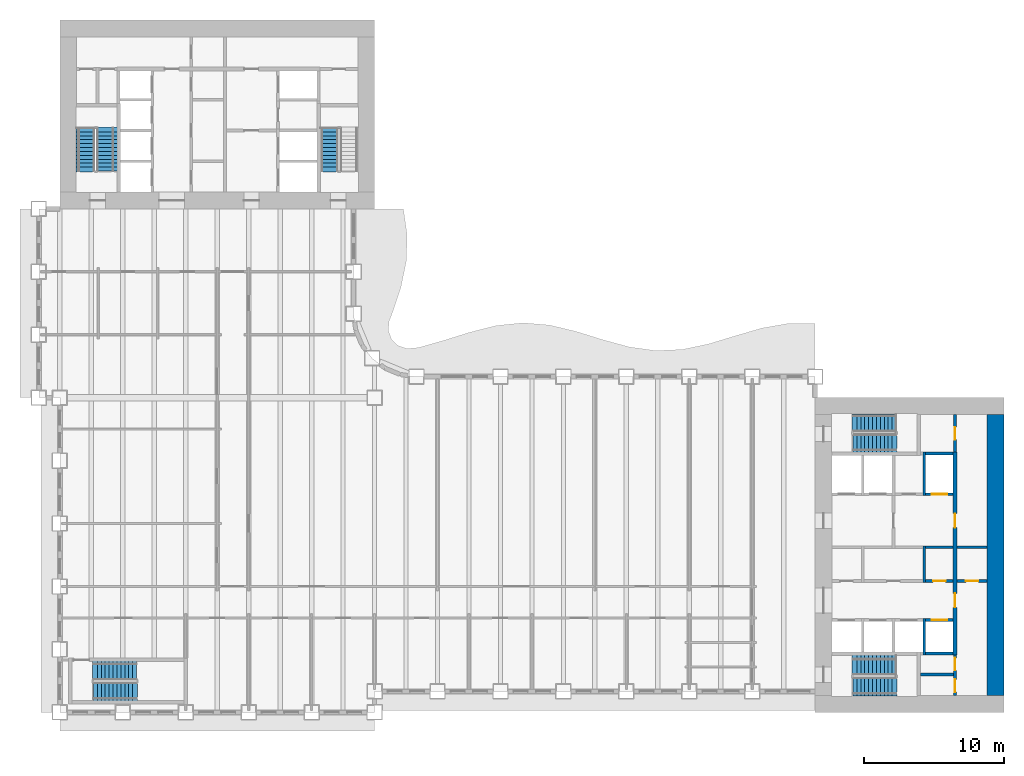
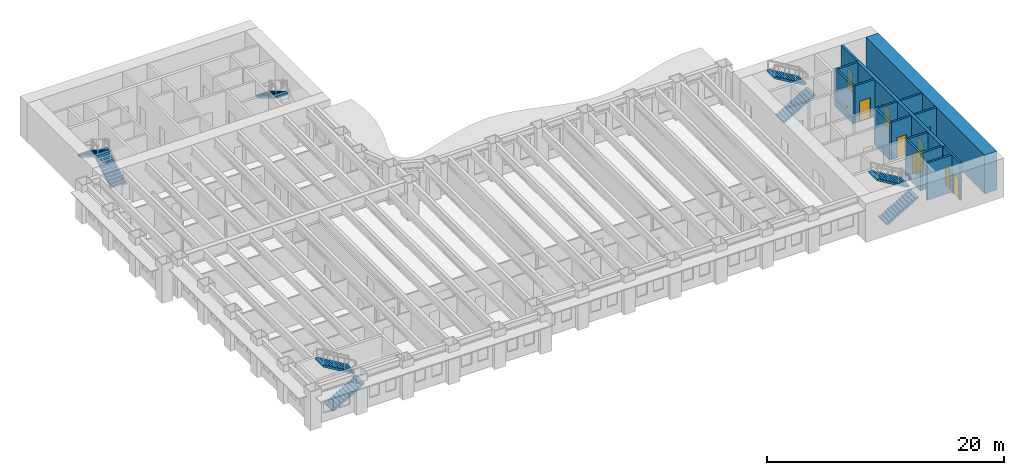
# One storey, part 10 of 17: 16 walls, 9 doors, 9 stair flights, 9 openings, 5 elements without a shape of their own.
"""IFC4 building model written with IfcOpenShell, lengths in metres."""

from ifc_helpers import new_model, si_unit, direction, frame, frame_2d, origin, place, context, subcontext, project, spatial, polyline, rectangle, outline, extrude, material, layer, layer_set, type_object, element, fill, aggregate, save


model = new_model("IFC4")

# Units and contexts
model_context = context("Model", 3, precision=1e-05, world=origin(), true_north=direction((0.0, 1.0)))
body_context = subcontext(model_context, "Body", "Model", "MODEL_VIEW")
ifc_project = project(units=[si_unit("LENGTHUNIT", "METRE"), si_unit("AREAUNIT", "SQUARE_METRE"), si_unit("VOLUMEUNIT", "CUBIC_METRE"), si_unit("PLANEANGLEUNIT", "RADIAN"), si_unit("MASSUNIT", "GRAM", prefix="KILO")], contexts=[model_context])

# Site, building, storey
site_placement = place(None, origin())
site = spatial("IfcSite", under=ifc_project, at=site_placement, CompositionType="ELEMENT")
building_placement = place(site_placement, origin())
building = spatial("IfcBuilding", under=site, at=building_placement, Name="Sennacour Bend Tower", CompositionType="ELEMENT")
storey_placement = place(building_placement, frame((0.0, 0.0, 53.0)))
storey = spatial("IfcBuildingStorey", under=building, at=storey_placement, Name="L11", CompositionType="ELEMENT", Elevation=53.0)

# Walls
ifc_material_1 = material(Name="Concrete C80/95", Category="concrete")
ifc_layer_1 = layer(ifc_material_1, 1.199951171875, Name="Concrete C80/95", Category="concrete")
ifc_layer_set_1 = layer_set([ifc_layer_1], Name="Concrete C80/95")
wall_type_1 = type_object("IfcWallType", Name="Core wall 1200 C80/95", PredefinedType="SHEAR", material=ifc_layer_set_1)
wall_1_placement = place(storey_placement, frame((66.89990234375, 1.199951171875, -0.14990234375), z_axis=(0.0, 0.0, 1.0), x_axis=(0.0, 1.0, 0.0)))
element("IfcWall", 1, at=wall_1_placement, inside=storey, type_object=wall_type_1, Name="Core A wall L11 E", PredefinedType="SHEAR", context=body_context, shape_type="SweptSolid", body=[
    extrude(rectangle(XDim=20.10009765625, YDim=1.199951171875, at=frame_2d((10.050048828125, 0.0))), origin(), (0.0, 0.0, 1.0), 4.0),
])
ifc_material_2 = material(Name="Fire-rated plasterboard partition on steel studs", Category="steel")
ifc_layer_2 = layer(ifc_material_2, 0.199951171875, Name="Fire-rated plasterboard partition on steel studs", Category="steel")
ifc_layer_set_2 = layer_set([ifc_layer_2], Name="Fire-rated plasterboard partition on steel studs")
wall_type_2 = type_object("IfcWallType", Name="Rated partition 200", PredefinedType="PARTITIONING", material=ifc_layer_set_2)
wall_2_placement = place(storey_placement, frame((61.800048828125, 9.300048828125, 0.0), z_axis=(0.0, 0.0, 1.0), x_axis=(0.0, 1.0, 0.0)))
element("IfcWall", 2, at=wall_2_placement, inside=storey, type_object=wall_type_2, Name="P-L11-W045", PredefinedType="PARTITIONING", context=body_context, shape_type="SweptSolid", body=[
    extrude(rectangle(XDim=2.599853515625, YDim=0.199951171875, at=frame_2d((1.2998046875, 0.0))), origin(), (0.0, 0.0, 1.0), 3.85009765625),
])

# Wall, openings, doors
wall_3_placement = place(storey_placement, frame((64.0, 1.199951171875, 0.0), z_axis=(0.0, 0.0, 1.0), x_axis=(0.0, 1.0, 0.0)))
wall_3 = element("IfcWall", 3, at=wall_3_placement, inside=storey, type_object=wall_type_2, Name="P-L11-W047", PredefinedType="PARTITIONING", context=body_context, shape_type="SweptSolid", body=[
    extrude(rectangle(XDim=2.900146484375, YDim=0.199951171875, at=frame_2d((1.4501953125, 0.0))), origin(), (0.0, 0.0, 1.0), 3.85009765625),
])
opening_1_placement = place(wall_3_placement, frame((0.25, 0.0, 0.0)))
opening_1 = element("IfcOpeningElement", 4, at=opening_1_placement, cuts=wall_3, Name="Opening SV", PredefinedType="OPENING", context=body_context, shape_type="SweptSolid", body=[
    extrude(rectangle(XDim=0.89990234375, YDim=2.10009765625, at=frame_2d((0.449951171875, 1.050048828125))), frame((0.0, 0.10986328125, 0.0), z_axis=(0.0, -1.0, 0.0), x_axis=(1.0, 0.0, 0.0)), (0.0, 0.0, 1.0), 0.219970703125),
])
opening_2_placement = place(wall_3_placement, frame((1.800048828125, 0.0, 0.0)))
opening_2 = element("IfcOpeningElement", 5, at=opening_2_placement, cuts=wall_3, Name="Opening SV", PredefinedType="OPENING", context=body_context, shape_type="SweptSolid", body=[
    extrude(rectangle(XDim=0.89990234375, YDim=2.10009765625, at=frame_2d((0.449951171875, 1.050048828125))), frame((0.0, 0.10986328125, 0.0), z_axis=(0.0, -1.0, 0.0), x_axis=(1.0, 0.0, 0.0)), (0.0, 0.0, 1.0), 0.219970703125),
])
ifc_material_3 = material(Name="Painted steel", Category="steel")
door_type_1 = type_object("IfcDoorType", Name="DR-SERVICE-900", OperationType="NOTDEFINED", PredefinedType="DOOR", material=ifc_material_3)
door_1_placement = place(opening_1_placement, origin())
door_1 = element("IfcDoor", 6, at=door_1_placement, inside=storey, type_object=door_type_1, Name="Door", OperationType="SINGLE_SWING_LEFT", OverallHeight=2.10009765625, OverallWidth=0.89990234375, PredefinedType="DOOR", context=body_context, shape_type="SweptSolid", body=[
    extrude(rectangle(XDim=0.89990234375, YDim=2.10009765625, at=frame_2d((0.449951171875, 1.050048828125))), frame((0.0, 0.02490234375, 0.0), z_axis=(0.0, -1.0, 0.0), x_axis=(1.0, 0.0, 0.0)), (0.0, 0.0, 1.0), 0.050048828125),
])
fill(opening_1, door_1)
door_2_placement = place(opening_2_placement, origin())
door_2 = element("IfcDoor", 7, at=door_2_placement, inside=storey, type_object=door_type_1, Name="Door", OperationType="SINGLE_SWING_RIGHT", OverallHeight=2.10009765625, OverallWidth=0.89990234375, PredefinedType="DOOR", context=body_context, shape_type="SweptSolid", body=[
    extrude(rectangle(XDim=0.89990234375, YDim=2.10009765625, at=frame_2d((0.449951171875, 1.050048828125))), frame((0.0, 0.02490234375, 0.0), z_axis=(0.0, -1.0, 0.0), x_axis=(1.0, 0.0, 0.0)), (0.0, 0.0, 1.0), 0.050048828125),
])
fill(opening_2, door_2)

# Wall, opening, door
wall_4_placement = place(storey_placement, frame((64.0, 18.60009765625, 0.0), z_axis=(0.0, 0.0, 1.0), x_axis=(0.0, 1.0, 0.0)))
wall_4 = element("IfcWall", 8, at=wall_4_placement, inside=storey, type_object=wall_type_2, Name="P-L11-W049", PredefinedType="PARTITIONING", context=body_context, shape_type="SweptSolid", body=[
    extrude(rectangle(XDim=2.699951171875, YDim=0.199951171875, at=frame_2d((1.35009765625, 0.0))), origin(), (0.0, 0.0, 1.0), 3.85009765625),
])
opening_3_placement = place(wall_4_placement, frame((0.89990234375, 0.0, 0.0)))
opening_3 = element("IfcOpeningElement", 9, at=opening_3_placement, cuts=wall_4, Name="Opening WD", PredefinedType="OPENING", context=body_context, shape_type="SweptSolid", body=[
    extrude(rectangle(XDim=0.89990234375, YDim=2.10009765625, at=frame_2d((0.449951171875, 1.050048828125))), frame((0.0, 0.10986328125, 0.0), z_axis=(0.0, -1.0, 0.0), x_axis=(1.0, 0.0, 0.0)), (0.0, 0.0, 1.0), 0.219970703125),
])
ifc_material_4 = material(Name="Timber", Category="wood")
door_type_2 = type_object("IfcDoorType", Name="DR-WC-900", OperationType="NOTDEFINED", PredefinedType="DOOR", material=ifc_material_4)
door_3_placement = place(opening_3_placement, origin())
door_3 = element("IfcDoor", 10, at=door_3_placement, inside=storey, type_object=door_type_2, Name="Door", OperationType="SINGLE_SWING_LEFT", OverallHeight=2.10009765625, OverallWidth=0.89990234375, PredefinedType="DOOR", context=body_context, shape_type="SweptSolid", body=[
    extrude(rectangle(XDim=0.89990234375, YDim=2.10009765625, at=frame_2d((0.449951171875, 1.050048828125))), frame((0.0, 0.02490234375, 0.0), z_axis=(0.0, -1.0, 0.0), x_axis=(1.0, 0.0, 0.0)), (0.0, 0.0, 1.0), 0.050048828125),
])
fill(opening_3, door_3)

# Wall
wall_5_placement = place(storey_placement, frame((61.52490234375, 2.699951171875, 0.0), z_axis=(0.0, 0.0, 1.0), x_axis=(1.0, 0.0, 0.0)))
element("IfcWall", 11, at=wall_5_placement, inside=storey, type_object=wall_type_2, Name="P-L11-W053", PredefinedType="PARTITIONING", context=body_context, shape_type="SweptSolid", body=[
    extrude(rectangle(XDim=2.375, YDim=0.199951171875, at=frame_2d((1.1875, 0.0))), origin(), (0.0, 0.0, 1.0), 3.85009765625),
])

# Wall, opening, door
wall_6_placement = place(storey_placement, frame((61.89990234375, 9.39990234375, 0.0), z_axis=(0.0, 0.0, 1.0), x_axis=(1.0, 0.0, 0.0)))
wall_6 = element("IfcWall", 12, at=wall_6_placement, inside=storey, type_object=wall_type_2, Name="P-L11-W063c", PredefinedType="PARTITIONING", context=body_context, shape_type="SweptSolid", body=[
    extrude(rectangle(XDim=1.9501953125, YDim=0.199951171875, at=frame_2d((0.97509765625, 0.0))), origin(), (0.0, 0.0, 1.0), 3.85009765625),
])
opening_4_placement = place(wall_6_placement, frame((0.525146484375, 0.0, 0.0)))
opening_4 = element("IfcOpeningElement", 13, at=opening_4_placement, cuts=wall_6, Name="Opening SV", PredefinedType="OPENING", context=body_context, shape_type="SweptSolid", body=[
    extrude(rectangle(XDim=0.89990234375, YDim=2.10009765625, at=frame_2d((0.449951171875, 1.050048828125))), frame((0.0, 0.10986328125, 0.0), z_axis=(0.0, -1.0, 0.0), x_axis=(1.0, 0.0, 0.0)), (0.0, 0.0, 1.0), 0.219970703125),
])
door_4_placement = place(opening_4_placement, origin())
door_4 = element("IfcDoor", 14, at=door_4_placement, inside=storey, type_object=door_type_1, Name="Door", OperationType="SINGLE_SWING_LEFT", OverallHeight=2.10009765625, OverallWidth=0.89990234375, PredefinedType="DOOR", context=body_context, shape_type="SweptSolid", body=[
    extrude(rectangle(XDim=0.89990234375, YDim=2.10009765625, at=frame_2d((0.449951171875, 1.050048828125))), frame((0.0, 0.02490234375, 0.0), z_axis=(0.0, -1.0, 0.0), x_axis=(1.0, 0.0, 0.0)), (0.0, 0.0, 1.0), 0.050048828125),
])
fill(opening_4, door_4)

wall_7_placement = place(storey_placement, frame((64.14990234375, 9.39990234375, 0.0), z_axis=(0.0, 0.0, 1.0), x_axis=(1.0, 0.0, 0.0)))
wall_7 = element("IfcWall", 15, at=wall_7_placement, inside=storey, type_object=wall_type_2, Name="P-L11-W063d", PredefinedType="PARTITIONING", context=body_context, shape_type="SweptSolid", body=[
    extrude(rectangle(XDim=2.150146484375, YDim=0.199951171875, at=frame_2d((1.0751953125, 0.0))), origin(), (0.0, 0.0, 1.0), 3.85009765625),
])
opening_5_placement = place(wall_7_placement, frame((0.625, 0.0, 0.0)))
opening_5 = element("IfcOpeningElement", 16, at=opening_5_placement, cuts=wall_7, Name="Opening SV", PredefinedType="OPENING", context=body_context, shape_type="SweptSolid", body=[
    extrude(rectangle(XDim=0.89990234375, YDim=2.10009765625, at=frame_2d((0.449951171875, 1.050048828125))), frame((0.0, 0.10986328125, 0.0), z_axis=(0.0, -1.0, 0.0), x_axis=(1.0, 0.0, 0.0)), (0.0, 0.0, 1.0), 0.219970703125),
])
door_5_placement = place(opening_5_placement, origin())
door_5 = element("IfcDoor", 17, at=door_5_placement, inside=storey, type_object=door_type_1, Name="Door", OperationType="SINGLE_SWING_LEFT", OverallHeight=2.10009765625, OverallWidth=0.89990234375, PredefinedType="DOOR", context=body_context, shape_type="SweptSolid", body=[
    extrude(rectangle(XDim=0.89990234375, YDim=2.10009765625, at=frame_2d((0.449951171875, 1.050048828125))), frame((0.0, 0.02490234375, 0.0), z_axis=(0.0, -1.0, 0.0), x_axis=(1.0, 0.0, 0.0)), (0.0, 0.0, 1.0), 0.050048828125),
])
fill(opening_5, door_5)

# Walls
wall_8_placement = place(storey_placement, frame((61.89990234375, 11.800048828125, 0.0), z_axis=(0.0, 0.0, 1.0), x_axis=(1.0, 0.0, 0.0)))
element("IfcWall", 18, at=wall_8_placement, inside=storey, type_object=wall_type_2, Name="P-L11-W064d", PredefinedType="PARTITIONING", context=body_context, shape_type="SweptSolid", body=[
    extrude(rectangle(XDim=1.9501953125, YDim=0.199951171875, at=frame_2d((0.97509765625, 0.0))), origin(), (0.0, 0.0, 1.0), 3.85009765625),
])
wall_9_placement = place(storey_placement, frame((64.14990234375, 11.800048828125, 0.0), z_axis=(0.0, 0.0, 1.0), x_axis=(1.0, 0.0, 0.0)))
element("IfcWall", 19, at=wall_9_placement, inside=storey, type_object=wall_type_2, Name="P-L11-W064e", PredefinedType="PARTITIONING", context=body_context, shape_type="SweptSolid", body=[
    extrude(rectangle(XDim=2.150146484375, YDim=0.199951171875, at=frame_2d((1.0751953125, 0.0))), origin(), (0.0, 0.0, 1.0), 3.85009765625),
])
ifc_material_5 = material(Name="Concrete C50/60", Category="concrete")
ifc_layer_3 = layer(ifc_material_5, 0.199951171875, Name="Concrete C50/60", Category="concrete")
ifc_layer_set_3 = layer_set([ifc_layer_3], Name="Concrete C50/60")
wall_type_3 = type_object("IfcWallType", Name="Shaft wall 200", PredefinedType="SOLIDWALL", material=ifc_layer_set_3)
wall_10_placement = place(storey_placement, frame((61.800048828125, 4.10009765625, 0.0), z_axis=(0.0, 0.0, 1.0), x_axis=(0.0, 1.0, 0.0)))
element("IfcWall", 20, at=wall_10_placement, inside=storey, type_object=wall_type_3, Name="P-L11-W044", PredefinedType="SOLIDWALL", context=body_context, shape_type="SweptSolid", body=[
    extrude(rectangle(XDim=2.599853515625, YDim=0.199951171875, at=frame_2d((1.2998046875, 0.0))), origin(), (0.0, 0.0, 1.0), 3.85009765625),
])
wall_11_placement = place(storey_placement, frame((61.800048828125, 15.5, 0.0), z_axis=(0.0, 0.0, 1.0), x_axis=(0.0, 1.0, 0.0)))
element("IfcWall", 21, at=wall_11_placement, inside=storey, type_object=wall_type_3, Name="P-L11-W046", PredefinedType="SOLIDWALL", context=body_context, shape_type="SweptSolid", body=[
    extrude(rectangle(XDim=3.10009765625, YDim=0.199951171875, at=frame_2d((1.550048828125, 0.0))), origin(), (0.0, 0.0, 1.0), 3.85009765625),
])
wall_12_placement = place(storey_placement, frame((61.89990234375, 4.199951171875, 0.0), z_axis=(0.0, 0.0, 1.0), x_axis=(1.0, 0.0, 0.0)))
element("IfcWall", 22, at=wall_12_placement, inside=storey, type_object=wall_type_3, Name="P-L11-W058b", PredefinedType="SOLIDWALL", context=body_context, shape_type="SweptSolid", body=[
    extrude(rectangle(XDim=1.9501953125, YDim=0.199951171875, at=frame_2d((0.97509765625, 0.0))), origin(), (0.0, 0.0, 1.0), 3.85009765625),
])

# Wall, opening, door
wall_13_placement = place(storey_placement, frame((61.89990234375, 6.60009765625, 0.0), z_axis=(0.0, 0.0, 1.0), x_axis=(1.0, 0.0, 0.0)))
wall_13 = element("IfcWall", 23, at=wall_13_placement, inside=storey, type_object=wall_type_3, Name="P-L11-W060d", PredefinedType="SOLIDWALL", context=body_context, shape_type="SweptSolid", body=[
    extrude(rectangle(XDim=1.9501953125, YDim=0.199951171875, at=frame_2d((0.97509765625, 0.0))), origin(), (0.0, 0.0, 1.0), 3.85009765625),
])
opening_6_placement = place(wall_13_placement, frame((0.425048828125, 0.0, 0.011962890625)))
opening_6 = element("IfcOpeningElement", 24, at=opening_6_placement, cuts=wall_13, Name="Opening LD", PredefinedType="OPENING", context=body_context, shape_type="SweptSolid", body=[
    extrude(rectangle(XDim=1.10009765625, YDim=2.10009765625, at=frame_2d((0.550048828125, 1.050048828125))), frame((0.0, 0.10986328125, 0.0), z_axis=(0.0, -1.0, 0.0), x_axis=(1.0, 0.0, 0.0)), (0.0, 0.0, 1.0), 0.219970703125),
])
ifc_material_6 = material(Name="Stainless steel", Category="steel")
door_type_3 = type_object("IfcDoorType", Name="DR-LANDING-1100", OperationType="NOTDEFINED", PredefinedType="DOOR", material=ifc_material_6)
door_6_placement = place(opening_6_placement, origin())
door_6 = element("IfcDoor", 25, at=door_6_placement, inside=storey, type_object=door_type_3, Name="Lift landing door LA4", OperationType="SLIDING_TO_RIGHT", OverallHeight=2.10009765625, OverallWidth=1.10009765625, PredefinedType="DOOR", context=body_context, shape_type="SweptSolid", body=[
    extrude(rectangle(XDim=1.10009765625, YDim=2.10009765625, at=frame_2d((0.550048828125, 1.050048828125))), frame((0.0, 0.02490234375, 0.0), z_axis=(0.0, -1.0, 0.0), x_axis=(1.0, 0.0, 0.0)), (0.0, 0.0, 1.0), 0.050048828125),
])
fill(opening_6, door_6)

wall_14_placement = place(storey_placement, frame((61.89990234375, 15.60009765625, 0.0), z_axis=(0.0, 0.0, 1.0), x_axis=(1.0, 0.0, 0.0)))
wall_14 = element("IfcWall", 26, at=wall_14_placement, inside=storey, type_object=wall_type_3, Name="P-L11-W068", PredefinedType="SOLIDWALL", context=body_context, shape_type="SweptSolid", body=[
    extrude(rectangle(XDim=1.9501953125, YDim=0.199951171875, at=frame_2d((0.97509765625, 0.0))), origin(), (0.0, 0.0, 1.0), 3.85009765625),
])
opening_7_placement = place(wall_14_placement, frame((0.425048828125, 0.0, 0.011962890625)))
opening_7 = element("IfcOpeningElement", 27, at=opening_7_placement, cuts=wall_14, Name="Opening LD", PredefinedType="OPENING", context=body_context, shape_type="SweptSolid", body=[
    extrude(rectangle(XDim=1.10009765625, YDim=2.10009765625, at=frame_2d((0.550048828125, 1.050048828125))), frame((0.0, 0.10986328125, 0.0), z_axis=(0.0, -1.0, 0.0), x_axis=(1.0, 0.0, 0.0)), (0.0, 0.0, 1.0), 0.219970703125),
])
door_7_placement = place(opening_7_placement, origin())
door_7 = element("IfcDoor", 28, at=door_7_placement, inside=storey, type_object=door_type_3, Name="Lift landing door LA5", OperationType="SLIDING_TO_LEFT", OverallHeight=2.10009765625, OverallWidth=1.10009765625, PredefinedType="DOOR", context=body_context, shape_type="SweptSolid", body=[
    extrude(rectangle(XDim=1.10009765625, YDim=2.10009765625, at=frame_2d((0.550048828125, 1.050048828125))), frame((0.0, 0.02490234375, 0.0), z_axis=(0.0, -1.0, 0.0), x_axis=(1.0, 0.0, 0.0)), (0.0, 0.0, 1.0), 0.050048828125),
])
fill(opening_7, door_7)

# Wall
wall_15_placement = place(storey_placement, frame((61.89990234375, 18.5, 0.0), z_axis=(0.0, 0.0, 1.0), x_axis=(1.0, 0.0, 0.0)))
element("IfcWall", 29, at=wall_15_placement, inside=storey, type_object=wall_type_3, Name="P-L11-W071", PredefinedType="SOLIDWALL", context=body_context, shape_type="SweptSolid", body=[
    extrude(rectangle(XDim=1.9501953125, YDim=0.199951171875, at=frame_2d((0.97509765625, 0.0))), origin(), (0.0, 0.0, 1.0), 3.85009765625),
])

# Wall, openings, doors
ifc_material_7 = material(Name="Concrete C60/75", Category="concrete")
ifc_layer_4 = layer(ifc_material_7, 0.300048828125, Name="Concrete C60/75", Category="concrete")
ifc_layer_set_4 = layer_set([ifc_layer_4], Name="Concrete C60/75")
wall_type_4 = type_object("IfcWallType", Name="Spine wall 300", PredefinedType="SHEAR", material=ifc_layer_set_4)
wall_16_placement = place(storey_placement, frame((64.0, 4.10009765625, 0.0), z_axis=(0.0, 0.0, 1.0), x_axis=(0.0, 1.0, 0.0)))
wall_16 = element("IfcWall", 30, at=wall_16_placement, inside=storey, type_object=wall_type_4, Name="P-L11-W048", PredefinedType="SHEAR", context=body_context, shape_type="SweptSolid", body=[
    extrude(rectangle(XDim=14.5, YDim=0.300048828125, at=frame_2d((7.25, 0.0))), origin(), (0.0, 0.0, 1.0), 3.85009765625),
])
opening_8_placement = place(wall_16_placement, frame((3.39990234375, 0.0, 0.0)))
opening_8 = element("IfcOpeningElement", 31, at=opening_8_placement, cuts=wall_16, Name="Opening CD2", PredefinedType="OPENING", context=body_context, shape_type="SweptSolid", body=[
    extrude(rectangle(XDim=1.0, YDim=2.10009765625, at=frame_2d((0.5, 1.050048828125))), frame((0.0, 0.16015625, 0.0), z_axis=(0.0, -1.0, 0.0), x_axis=(1.0, 0.0, 0.0)), (0.0, 0.0, 1.0), 0.320068359375),
])
opening_9_placement = place(wall_16_placement, frame((9.099853515625, 0.0, 0.0)))
opening_9 = element("IfcOpeningElement", 32, at=opening_9_placement, cuts=wall_16, Name="Opening CD2", PredefinedType="OPENING", context=body_context, shape_type="SweptSolid", body=[
    extrude(rectangle(XDim=1.0, YDim=2.10009765625, at=frame_2d((0.5, 1.050048828125))), frame((0.0, 0.16015625, 0.0), z_axis=(0.0, -1.0, 0.0), x_axis=(1.0, 0.0, 0.0)), (0.0, 0.0, 1.0), 0.320068359375),
])
door_type_4 = type_object("IfcDoorType", Name="DR-LOBBY-1000", OperationType="NOTDEFINED", PredefinedType="DOOR", material=ifc_material_3)
door_8_placement = place(opening_8_placement, origin())
door_8 = element("IfcDoor", 33, at=door_8_placement, inside=storey, type_object=door_type_4, Name="Door", OperationType="SINGLE_SWING_LEFT", OverallHeight=2.10009765625, OverallWidth=1.0, PredefinedType="DOOR", context=body_context, shape_type="SweptSolid", body=[
    extrude(rectangle(XDim=1.0, YDim=2.10009765625, at=frame_2d((0.5, 1.050048828125))), frame((0.0, 0.02490234375, 0.0), z_axis=(0.0, -1.0, 0.0), x_axis=(1.0, 0.0, 0.0)), (0.0, 0.0, 1.0), 0.050048828125),
])
fill(opening_8, door_8)
door_9_placement = place(opening_9_placement, origin())
door_9 = element("IfcDoor", 34, at=door_9_placement, inside=storey, type_object=door_type_4, Name="Door", OperationType="SINGLE_SWING_RIGHT", OverallHeight=2.10009765625, OverallWidth=1.0, PredefinedType="DOOR", context=body_context, shape_type="SweptSolid", body=[
    extrude(rectangle(XDim=1.0, YDim=2.10009765625, at=frame_2d((0.5, 1.050048828125))), frame((0.0, 0.02490234375, 0.0), z_axis=(0.0, -1.0, 0.0), x_axis=(1.0, 0.0, 0.0)), (0.0, 0.0, 1.0), 0.050048828125),
])
fill(opening_9, door_9)

# Stair, stair flights
ifc_material_8 = material(Name="Concrete C40/50", Category="concrete")
stair_type = type_object("IfcStairType", Name="ST-DOGLEG", PredefinedType="HALF_TURN_STAIR", material=ifc_material_8)
stair_1_placement = place(storey_placement, origin())
stair_1 = element("IfcStair", 35, at=stair_1_placement, inside=storey, type_object=stair_type, Name="L11 Exit stair A1", PredefinedType="HALF_TURN_STAIR")
stair_flight_type = type_object("IfcStairFlightType", Name="SFL-RC", PredefinedType="STRAIGHT", material=ifc_material_8)
stair_flight_1_placement = place(storey_placement, frame((56.699951171875, 1.8349609375, 0.0), z_axis=(0.0, 0.0, 1.0), x_axis=(1.0, 0.0, 0.0)))
stair_flight_1 = element("IfcStairFlight", 36, at=stair_flight_1_placement, type_object=stair_flight_type, Name="SA1 flight 1", NumberOfRisers=12, NumberOfTreads=11, PredefinedType="STRAIGHT", RiserHeight=0.166666667, TreadLength=0.28, context=body_context, shape_type="SweptSolid", body=[
    extrude(outline(polyline([(0.0, 0.0), (0.0, 0.166748046875), (0.280029296875, 0.166748046875), (0.280029296875, 0.333251953125), (0.56005859375, 0.333251953125), (0.56005859375, 0.5), (0.840087890625, 0.5), (0.840087890625, 0.666748046875), (1.1201171875, 0.666748046875), (1.1201171875, 0.833251953125), (1.39990234375, 0.833251953125), (1.39990234375, 1.0), (1.679931640625, 1.0), (1.679931640625, 1.166748046875), (1.9599609375, 1.166748046875), (1.9599609375, 1.333251953125), (2.239990234375, 1.333251953125), (2.239990234375, 1.5), (2.52001953125, 1.5), (2.52001953125, 1.666748046875), (2.800048828125, 1.666748046875), (2.800048828125, 1.833251953125), (3.080078125, 1.833251953125), (3.139892578125, 1.833251953125), (3.139892578125, 1.658935546875), (3.080078125, 1.658935546875), (0.29296875, 0.0), (0.0, 0.0)])), frame((0.0, 0.6650390625, 0.0), z_axis=(0.0, -1.0, 0.0), x_axis=(1.0, 0.0, 0.0)), (0.0, 0.0, 1.0), 1.330078125),
])
stair_flight_2_placement = place(storey_placement, frame((59.780029296875, 3.37744140625, 2.0), z_axis=(0.0, 0.0, 1.0), x_axis=(-1.0, 0.0, 0.0)))
stair_flight_2 = element("IfcStairFlight", 37, at=stair_flight_2_placement, type_object=stair_flight_type, Name="SA1 flight 2", NumberOfRisers=12, NumberOfTreads=11, PredefinedType="STRAIGHT", RiserHeight=0.166666667, TreadLength=0.28, context=body_context, shape_type="SweptSolid", body=[
    extrude(outline(polyline([(0.0, 0.0), (0.0, 0.166748046875), (0.280029296875, 0.166748046875), (0.280029296875, 0.333251953125), (0.56005859375, 0.333251953125), (0.56005859375, 0.5), (0.840087890625, 0.5), (0.840087890625, 0.666748046875), (1.1201171875, 0.666748046875), (1.1201171875, 0.833251953125), (1.39990234375, 0.833251953125), (1.39990234375, 1.0), (1.679931640625, 1.0), (1.679931640625, 1.166748046875), (1.9599609375, 1.166748046875), (1.9599609375, 1.333251953125), (2.239990234375, 1.333251953125), (2.239990234375, 1.5), (2.52001953125, 1.5), (2.52001953125, 1.666748046875), (2.800048828125, 1.666748046875), (2.800048828125, 1.833251953125), (3.080078125, 1.833251953125), (3.139892578125, 1.833251953125), (3.139892578125, 1.658935546875), (3.080078125, 1.658935546875), (0.29296875, 0.0), (0.0, 0.0)])), frame((0.0, 0.7275390625, 0.0), z_axis=(0.0, -1.0, 0.0), x_axis=(1.0, 0.0, 0.0)), (0.0, 0.0, 1.0), 1.455078125),
])
aggregate(stair_1, [stair_flight_1, stair_flight_2])

stair_2_placement = place(storey_placement, origin())
stair_2 = element("IfcStair", 38, at=stair_2_placement, inside=storey, type_object=stair_type, Name="L11 Exit stair A2", PredefinedType="HALF_TURN_STAIR")
stair_flight_3_placement = place(storey_placement, frame((56.699951171875, 19.24755859375, 0.0), z_axis=(0.0, 0.0, 1.0), x_axis=(1.0, 0.0, 0.0)))
stair_flight_3 = element("IfcStairFlight", 39, at=stair_flight_3_placement, type_object=stair_flight_type, Name="SA2 flight 1", NumberOfRisers=12, NumberOfTreads=11, PredefinedType="STRAIGHT", RiserHeight=0.166666667, TreadLength=0.28, context=body_context, shape_type="SweptSolid", body=[
    extrude(outline(polyline([(0.0, 0.0), (0.0, 0.166748046875), (0.280029296875, 0.166748046875), (0.280029296875, 0.333251953125), (0.56005859375, 0.333251953125), (0.56005859375, 0.5), (0.840087890625, 0.5), (0.840087890625, 0.666748046875), (1.1201171875, 0.666748046875), (1.1201171875, 0.833251953125), (1.39990234375, 0.833251953125), (1.39990234375, 1.0), (1.679931640625, 1.0), (1.679931640625, 1.166748046875), (1.9599609375, 1.166748046875), (1.9599609375, 1.333251953125), (2.239990234375, 1.333251953125), (2.239990234375, 1.5), (2.52001953125, 1.5), (2.52001953125, 1.666748046875), (2.800048828125, 1.666748046875), (2.800048828125, 1.833251953125), (3.080078125, 1.833251953125), (3.139892578125, 1.833251953125), (3.139892578125, 1.658935546875), (3.080078125, 1.658935546875), (0.29296875, 0.0), (0.0, 0.0)])), frame((0.0, 0.65234375, 0.0), z_axis=(0.0, -1.0, 0.0), x_axis=(1.0, 0.0, 0.0)), (0.0, 0.0, 1.0), 1.304931640625),
])
stair_flight_4_placement = place(storey_placement, frame((59.780029296875, 20.68994140625, 2.0), z_axis=(0.0, 0.0, 1.0), x_axis=(-1.0, 0.0, 0.0)))
stair_flight_4 = element("IfcStairFlight", 40, at=stair_flight_4_placement, type_object=stair_flight_type, Name="SA2 flight 2", NumberOfRisers=12, NumberOfTreads=11, PredefinedType="STRAIGHT", RiserHeight=0.166666667, TreadLength=0.28, context=body_context, shape_type="SweptSolid", body=[
    extrude(outline(polyline([(0.0, 0.0), (0.0, 0.166748046875), (0.280029296875, 0.166748046875), (0.280029296875, 0.333251953125), (0.56005859375, 0.333251953125), (0.56005859375, 0.5), (0.840087890625, 0.5), (0.840087890625, 0.666748046875), (1.1201171875, 0.666748046875), (1.1201171875, 0.833251953125), (1.39990234375, 0.833251953125), (1.39990234375, 1.0), (1.679931640625, 1.0), (1.679931640625, 1.166748046875), (1.9599609375, 1.166748046875), (1.9599609375, 1.333251953125), (2.239990234375, 1.333251953125), (2.239990234375, 1.5), (2.52001953125, 1.5), (2.52001953125, 1.666748046875), (2.800048828125, 1.666748046875), (2.800048828125, 1.833251953125), (3.080078125, 1.833251953125), (3.139892578125, 1.833251953125), (3.139892578125, 1.658935546875), (3.080078125, 1.658935546875), (0.29296875, 0.0), (0.0, 0.0)])), frame((0.0, 0.64013671875, 0.0), z_axis=(0.0, -1.0, 0.0), x_axis=(1.0, 0.0, 0.0)), (0.0, 0.0, 1.0), 1.280029296875),
])
aggregate(stair_2, [stair_flight_3, stair_flight_4])

stair_3_placement = place(storey_placement, origin())
stair_3 = element("IfcStair", 41, at=stair_3_placement, inside=storey, type_object=stair_type, Name="L11 Exit stair B1", PredefinedType="HALF_TURN_STAIR")
stair_flight_5_placement = place(storey_placement, frame((3.37744140625, 38.699951171875, 0.0), z_axis=(0.0, 0.0, 1.0), x_axis=(0.0, 1.0, 0.0)))
stair_flight_5 = element("IfcStairFlight", 42, at=stair_flight_5_placement, type_object=stair_flight_type, Name="SB1 flight 1", NumberOfRisers=12, NumberOfTreads=11, PredefinedType="STRAIGHT", RiserHeight=0.166666667, TreadLength=0.28, context=body_context, shape_type="SweptSolid", body=[
    extrude(outline(polyline([(0.0, 0.0), (0.0, 0.166748046875), (0.280029296875, 0.166748046875), (0.280029296875, 0.333251953125), (0.56005859375, 0.333251953125), (0.56005859375, 0.5), (0.840087890625, 0.5), (0.840087890625, 0.666748046875), (1.1201171875, 0.666748046875), (1.1201171875, 0.833251953125), (1.39990234375, 0.833251953125), (1.39990234375, 1.0), (1.679931640625, 1.0), (1.679931640625, 1.166748046875), (1.9599609375, 1.166748046875), (1.9599609375, 1.333251953125), (2.239990234375, 1.333251953125), (2.239990234375, 1.5), (2.52001953125, 1.5), (2.52001953125, 1.666748046875), (2.800048828125, 1.666748046875), (2.800048828125, 1.833251953125), (3.080078125, 1.833251953125), (3.139892578125, 1.833251953125), (3.139892578125, 1.658935546875), (3.080078125, 1.658935546875), (0.29296875, 0.0), (0.0, 0.0)])), frame((0.0, 0.7275390625, 0.0), z_axis=(0.0, -1.0, 0.0), x_axis=(1.0, 0.0, 0.0)), (0.0, 0.0, 1.0), 1.455078125),
])
stair_flight_6_placement = place(storey_placement, frame((1.8349609375, 41.780029296875, 2.0), z_axis=(0.0, 0.0, 1.0), x_axis=(0.0, -1.0, 0.0)))
stair_flight_6 = element("IfcStairFlight", 43, at=stair_flight_6_placement, type_object=stair_flight_type, Name="SB1 flight 2", NumberOfRisers=12, NumberOfTreads=11, PredefinedType="STRAIGHT", RiserHeight=0.166666667, TreadLength=0.28, context=body_context, shape_type="SweptSolid", body=[
    extrude(outline(polyline([(0.0, 0.0), (0.0, 0.166748046875), (0.280029296875, 0.166748046875), (0.280029296875, 0.333251953125), (0.56005859375, 0.333251953125), (0.56005859375, 0.5), (0.840087890625, 0.5), (0.840087890625, 0.666748046875), (1.1201171875, 0.666748046875), (1.1201171875, 0.833251953125), (1.39990234375, 0.833251953125), (1.39990234375, 1.0), (1.679931640625, 1.0), (1.679931640625, 1.166748046875), (1.9599609375, 1.166748046875), (1.9599609375, 1.333251953125), (2.239990234375, 1.333251953125), (2.239990234375, 1.5), (2.52001953125, 1.5), (2.52001953125, 1.666748046875), (2.800048828125, 1.666748046875), (2.800048828125, 1.833251953125), (3.080078125, 1.833251953125), (3.139892578125, 1.833251953125), (3.139892578125, 1.658935546875), (3.080078125, 1.658935546875), (0.29296875, 0.0), (0.0, 0.0)])), frame((0.0, 0.6650390625, 0.0), z_axis=(0.0, -1.0, 0.0), x_axis=(1.0, 0.0, 0.0)), (0.0, 0.0, 1.0), 1.330078125),
])
aggregate(stair_3, [stair_flight_5, stair_flight_6])

# Stair, stair flight
stair_4_placement = place(storey_placement, origin())
stair_4 = element("IfcStair", 44, at=stair_4_placement, inside=storey, type_object=stair_type, Name="L11 Exit stair B2", PredefinedType="HALF_TURN_STAIR")
stair_flight_7_placement = place(storey_placement, frame((19.24755859375, 41.780029296875, 2.0), z_axis=(0.0, 0.0, 1.0), x_axis=(0.0, -1.0, 0.0)))
stair_flight_7 = element("IfcStairFlight", 45, at=stair_flight_7_placement, type_object=stair_flight_type, Name="SB2 flight 2", NumberOfRisers=12, NumberOfTreads=11, PredefinedType="STRAIGHT", RiserHeight=0.166666667, TreadLength=0.28, context=body_context, shape_type="SweptSolid", body=[
    extrude(outline(polyline([(0.0, 0.0), (0.0, 0.166748046875), (0.280029296875, 0.166748046875), (0.280029296875, 0.333251953125), (0.56005859375, 0.333251953125), (0.56005859375, 0.5), (0.840087890625, 0.5), (0.840087890625, 0.666748046875), (1.1201171875, 0.666748046875), (1.1201171875, 0.833251953125), (1.39990234375, 0.833251953125), (1.39990234375, 1.0), (1.679931640625, 1.0), (1.679931640625, 1.166748046875), (1.9599609375, 1.166748046875), (1.9599609375, 1.333251953125), (2.239990234375, 1.333251953125), (2.239990234375, 1.5), (2.52001953125, 1.5), (2.52001953125, 1.666748046875), (2.800048828125, 1.666748046875), (2.800048828125, 1.833251953125), (3.080078125, 1.833251953125), (3.139892578125, 1.833251953125), (3.139892578125, 1.658935546875), (3.080078125, 1.658935546875), (0.29296875, 0.0), (0.0, 0.0)])), frame((0.0, 0.65234375, 0.0), z_axis=(0.0, -1.0, 0.0), x_axis=(1.0, 0.0, 0.0)), (0.0, 0.0, 1.0), 1.304931640625),
])
aggregate(stair_4, [stair_flight_7])

# Stair, stair flights
stair_5_placement = place(storey_placement, origin())
stair_5 = element("IfcStair", 46, at=stair_5_placement, inside=storey, type_object=stair_type, Name="L11 Exit stair K1", PredefinedType="HALF_TURN_STAIR")
stair_flight_8_placement = place(storey_placement, frame((2.39990234375, 1.485107421875, 0.0), z_axis=(0.0, 0.0, 1.0), x_axis=(1.0, 0.0, 0.0)))
stair_flight_8 = element("IfcStairFlight", 47, at=stair_flight_8_placement, type_object=stair_flight_type, Name="SK1 flight 1", NumberOfRisers=12, NumberOfTreads=11, PredefinedType="STRAIGHT", RiserHeight=0.166666667, TreadLength=0.28, context=body_context, shape_type="SweptSolid", body=[
    extrude(outline(polyline([(0.0, 0.0), (0.0, 0.166748046875), (0.280029296875, 0.166748046875), (0.280029296875, 0.333251953125), (0.56005859375, 0.333251953125), (0.56005859375, 0.5), (0.840087890625, 0.5), (0.840087890625, 0.666748046875), (1.1201171875, 0.666748046875), (1.1201171875, 0.833251953125), (1.39990234375, 0.833251953125), (1.39990234375, 1.0), (1.679931640625, 1.0), (1.679931640625, 1.166748046875), (1.9599609375, 1.166748046875), (1.9599609375, 1.333251953125), (2.239990234375, 1.333251953125), (2.239990234375, 1.5), (2.52001953125, 1.5), (2.52001953125, 1.666748046875), (2.800048828125, 1.666748046875), (2.800048828125, 1.833251953125), (3.080078125, 1.833251953125), (3.139892578125, 1.833251953125), (3.139892578125, 1.658935546875), (3.080078125, 1.658935546875), (0.29296875, 0.0), (0.0, 0.0)])), frame((0.0, 0.6650390625, 0.0), z_axis=(0.0, -1.0, 0.0), x_axis=(1.0, 0.0, 0.0)), (0.0, 0.0, 1.0), 1.330078125),
])
stair_flight_9_placement = place(storey_placement, frame((5.47998046875, 2.9775390625, 2.0), z_axis=(0.0, 0.0, 1.0), x_axis=(-1.0, 0.0, 0.0)))
stair_flight_9 = element("IfcStairFlight", 48, at=stair_flight_9_placement, type_object=stair_flight_type, Name="SK1 flight 2", NumberOfRisers=12, NumberOfTreads=11, PredefinedType="STRAIGHT", RiserHeight=0.166666667, TreadLength=0.28, context=body_context, shape_type="SweptSolid", body=[
    extrude(outline(polyline([(0.0, 0.0), (0.0, 0.166748046875), (0.280029296875, 0.166748046875), (0.280029296875, 0.333251953125), (0.56005859375, 0.333251953125), (0.56005859375, 0.5), (0.840087890625, 0.5), (0.840087890625, 0.666748046875), (1.1201171875, 0.666748046875), (1.1201171875, 0.833251953125), (1.39990234375, 0.833251953125), (1.39990234375, 1.0), (1.679931640625, 1.0), (1.679931640625, 1.166748046875), (1.9599609375, 1.166748046875), (1.9599609375, 1.333251953125), (2.239990234375, 1.333251953125), (2.239990234375, 1.5), (2.52001953125, 1.5), (2.52001953125, 1.666748046875), (2.800048828125, 1.666748046875), (2.800048828125, 1.833251953125), (3.080078125, 1.833251953125), (3.139892578125, 1.833251953125), (3.139892578125, 1.658935546875), (3.080078125, 1.658935546875), (0.29296875, 0.0), (0.0, 0.0)])), frame((0.0, 0.677490234375, 0.0), z_axis=(0.0, -1.0, 0.0), x_axis=(1.0, 0.0, 0.0)), (0.0, 0.0, 1.0), 1.35498046875),
])
aggregate(stair_5, [stair_flight_8, stair_flight_9])

save(model, "model.ifc")
